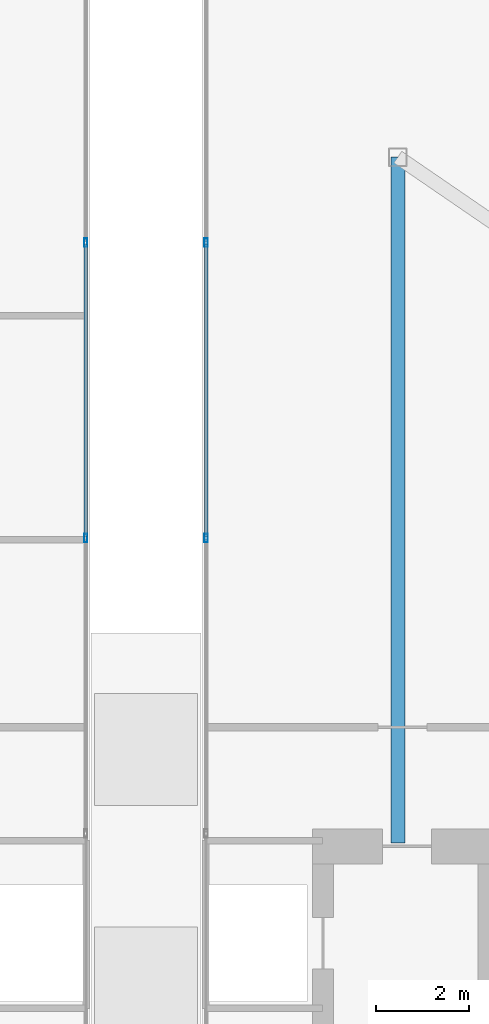
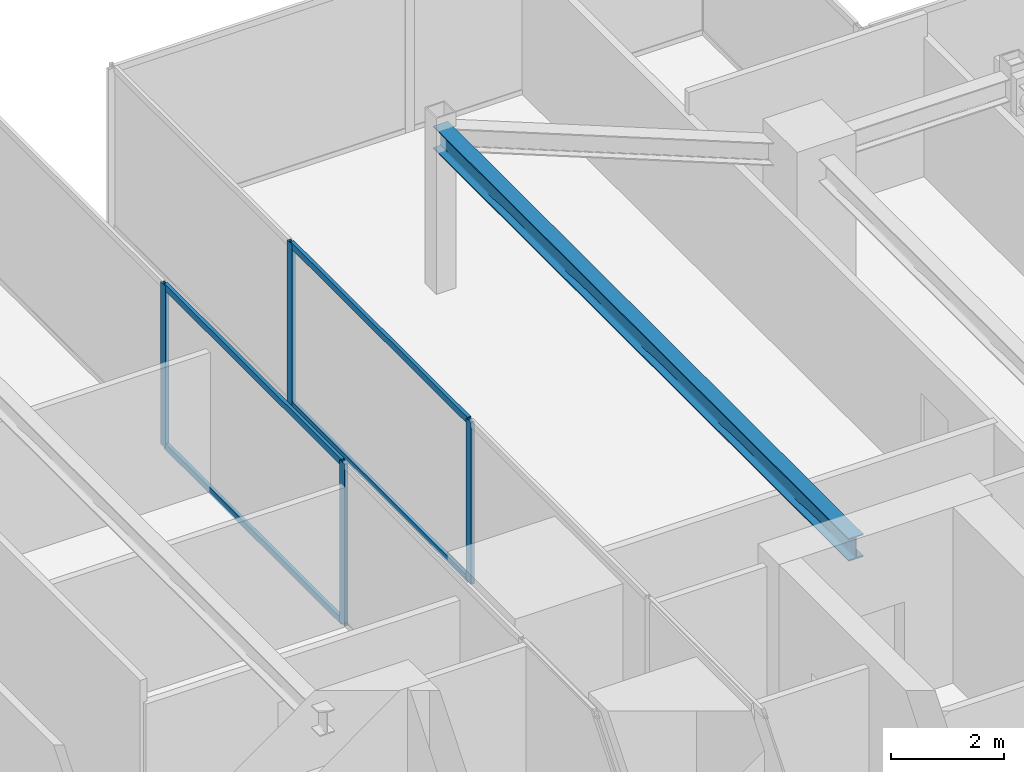
# One storey, part 14 of 25: 8 members, 1 beam, 2 elements without a shape of their own.
"""IFC4 building model written with IfcOpenShell, lengths in metres."""

from ifc_helpers import new_model, si_unit, direction, frame, origin, origin_2d, place, context, subcontext, project, spatial, hollow_rectangle, i_section, extrude, source, transform, mapped, material, material_profile, profile_set, type_object, type_shapes, element, aggregate, save


model = new_model("IFC4")

# Units and contexts
model_context = context("Model", 3, precision=1e-05, world=origin(), true_north=direction((0.0, 1.0)))
body_context = subcontext(model_context, "Body", "Model", "MODEL_VIEW")
ifc_project = project(units=[si_unit("LENGTHUNIT", "METRE"), si_unit("AREAUNIT", "SQUARE_METRE"), si_unit("VOLUMEUNIT", "CUBIC_METRE"), si_unit("PLANEANGLEUNIT", "RADIAN"), si_unit("MASSUNIT", "GRAM", prefix="KILO")], contexts=[model_context])

# Site, building, storey
site_placement = place(None, origin())
site = spatial("IfcSite", under=ifc_project, at=site_placement, CompositionType="ELEMENT")
building_placement = place(site_placement, origin())
building = spatial("IfcBuilding", under=site, at=building_placement, Name="Krantzveldt Concourse Tower", CompositionType="ELEMENT")
storey_placement = place(building_placement, frame((0.0, 0.0, 367.050048828125)))
storey = spatial("IfcBuildingStorey", under=building, at=storey_placement, Name="L90", CompositionType="ELEMENT", Elevation=367.050048828125)

# Beam
ifc_material_1 = material(Name="Steel S355JR", Category="steel")
ifc_material_profile_1 = material_profile(ifc_material_1, i_section(OverallWidth=0.300048828125, OverallDepth=0.489990234375, WebThickness=0.011962890625, FlangeThickness=0.02294921875, FilletRadius=0.027099609375, at=origin_2d()), Name="Steel S355JR", Category="steel")
ifc_profile_set_1 = profile_set([ifc_material_profile_1], Name="Steel S355JR - HEA 500")
beam_type = type_object("IfcBeamType", Name="BM-B-HEA500", PredefinedType="BEAM", material=ifc_profile_set_1)
shared_shape_1 = source(origin(), body_context, "Body", "SweptSolid", [
    extrude(i_section(OverallWidth=0.300048828125, OverallDepth=0.489990234375, WebThickness=0.011962890625, FlangeThickness=0.02294921875, FilletRadius=0.027099609375, at=origin_2d()), origin(), (0.0, 0.0, 1.0), 14.699951171875),
])
type_shapes(beam_type, [shared_shape_1])
beam_placement = place(storey_placement, frame((41.39990234375, 41.199951171875, 3.2548828125), z_axis=(0.0, -1.0, 0.0), x_axis=(1.0, 0.0, 0.0)))
element("IfcBeam", 1, at=beam_placement, inside=storey, type_object=beam_type, Name="L90 Crown Girder EAST-5", PredefinedType="BEAM", context=body_context, shape_type="MappedRepresentation", body=[
    mapped(shared_shape_1, transform((0.0, 0.0, 0.0), x_axis=(1.0, 0.0, 0.0), y_axis=(0.0, 1.0, 0.0), z_axis=(0.0, 0.0, 1.0), scale=1.0)),
])

# Curtain wall, members
ifc_material_2 = material(Name="Anodised aluminium 6063-T6", Category="aluminium")
curtain_wall_type = type_object("IfcCurtainWallType", Name="CW7", PredefinedType="USERDEFINED", material=ifc_material_2)
curtain_wall_1_placement = place(storey_placement, origin())
curtain_wall_1 = element("IfcCurtainWall", 2, at=curtain_wall_1_placement, inside=storey, type_object=curtain_wall_type, Name="CW-L90-WEST-01", ObjectType="UNITISED CURTAIN WALL", PredefinedType="USERDEFINED")
ifc_material_profile_2 = material_profile(ifc_material_2, hollow_rectangle(XDim=0.070068359375, YDim=0.179931640625, WallThickness=0.0048828125, at=origin_2d()), Name="Anodised aluminium 6063-T6", Category="aluminium")
ifc_profile_set_2 = profile_set([ifc_material_profile_2], Name="Anodised aluminium 6063-T6 - ALU-MULL 180x70x5")
member_type_1 = type_object("IfcMemberType", Name="CW-MUL-180", PredefinedType="MULLION", material=ifc_profile_set_2)
shared_shape_2 = source(origin(), body_context, "Body", "SweptSolid", [
    extrude(hollow_rectangle(XDim=0.070068359375, YDim=0.179931640625, WallThickness=0.0048828125, at=origin_2d()), origin(), (0.0, 0.0, 1.0), 3.5),
])
type_shapes(member_type_1, [shared_shape_2])
member_1_placement = place(storey_placement, frame((34.7099609375, 33.033447265625, 0.0), z_axis=(0.0, 0.0, 1.0), x_axis=(-1.0, 0.0, 0.0)))
member_1 = element("IfcMember", 3, at=member_1_placement, type_object=member_type_1, Name="CW-CRN mullion 5", PredefinedType="MULLION", context=body_context, shape_type="MappedRepresentation", body=[
    mapped(shared_shape_2, transform((0.0, 0.0, 0.0), x_axis=(1.0, 0.0, 0.0), y_axis=(0.0, 1.0, 0.0), z_axis=(0.0, 0.0, 1.0), scale=1.0)),
])
member_2_placement = place(storey_placement, frame((34.7099609375, 39.36669921875, 0.0), z_axis=(0.0, 0.0, 1.0), x_axis=(-1.0, 0.0, 0.0)))
member_2 = element("IfcMember", 4, at=member_2_placement, type_object=member_type_1, Name="CW-CRN mullion 6", PredefinedType="MULLION", context=body_context, shape_type="MappedRepresentation", body=[
    mapped(shared_shape_2, transform((0.0, 0.0, 0.0), x_axis=(1.0, 0.0, 0.0), y_axis=(0.0, 1.0, 0.0), z_axis=(0.0, 0.0, 1.0), scale=1.0)),
])

curtain_wall_2_placement = place(storey_placement, origin())
curtain_wall_2 = element("IfcCurtainWall", 5, at=curtain_wall_2_placement, inside=storey, type_object=curtain_wall_type, Name="CW-L90-EAST-07", ObjectType="UNITISED CURTAIN WALL", PredefinedType="USERDEFINED")
member_3_placement = place(storey_placement, frame((37.2900390625, 39.36669921875, 0.0), z_axis=(0.0, 0.0, 1.0), x_axis=(1.0, 0.0, 0.0)))
member_3 = element("IfcMember", 6, at=member_3_placement, type_object=member_type_1, Name="CW-CRN mullion 2", PredefinedType="MULLION", context=body_context, shape_type="MappedRepresentation", body=[
    mapped(shared_shape_2, transform((0.0, 0.0, 0.0), x_axis=(1.0, 0.0, 0.0), y_axis=(0.0, 1.0, 0.0), z_axis=(0.0, 0.0, 1.0), scale=1.0)),
])
member_4_placement = place(storey_placement, frame((37.2900390625, 33.033447265625, 0.0), z_axis=(0.0, 0.0, 1.0), x_axis=(1.0, 0.0, 0.0)))
member_4 = element("IfcMember", 7, at=member_4_placement, type_object=member_type_1, Name="CW-CRN mullion 3", PredefinedType="MULLION", context=body_context, shape_type="MappedRepresentation", body=[
    mapped(shared_shape_2, transform((0.0, 0.0, 0.0), x_axis=(1.0, 0.0, 0.0), y_axis=(0.0, 1.0, 0.0), z_axis=(0.0, 0.0, 1.0), scale=1.0)),
])

# Member
ifc_material_profile_3 = material_profile(ifc_material_2, hollow_rectangle(XDim=0.070068359375, YDim=0.139892578125, WallThickness=0.0048828125, at=origin_2d()), Name="Anodised aluminium 6063-T6", Category="aluminium")
ifc_profile_set_3 = profile_set([ifc_material_profile_3], Name="Anodised aluminium 6063-T6 - ALU-TRAN 140x70x5")
member_type_2 = type_object("IfcMemberType", Name="CW-TRN-150", PredefinedType="USERDEFINED", material=ifc_profile_set_3)
shared_shape_3 = source(origin(), body_context, "Body", "SweptSolid", [
    extrude(hollow_rectangle(XDim=0.070068359375, YDim=0.139892578125, WallThickness=0.0048828125, at=origin_2d()), origin(), (0.0, 0.0, 1.0), 6.263427734375),
])
type_shapes(member_type_2, [shared_shape_3])
member_5_placement = place(storey_placement, frame((34.7099609375, 33.068359375, 0.034912109375), z_axis=(0.0, 1.0, 0.0), x_axis=(-1.0, 0.0, 0.0)))
member_5 = element("IfcMember", 8, at=member_5_placement, type_object=member_type_2, Name="CW-CRN transom 5.1", ObjectType="TRANSOM", PredefinedType="USERDEFINED", context=body_context, shape_type="MappedRepresentation", body=[
    mapped(shared_shape_3, transform((0.0, 0.0, 0.0), x_axis=(1.0, 0.0, 0.0), y_axis=(0.0, 1.0, 0.0), z_axis=(0.0, 0.0, 1.0), scale=1.0)),
])

member_6_placement = place(storey_placement, frame((34.7099609375, 33.068359375, 3.46484375), z_axis=(0.0, 1.0, 0.0), x_axis=(-1.0, 0.0, 0.0)))
member_6 = element("IfcMember", 9, at=member_6_placement, type_object=member_type_2, Name="CW-CRN transom 5.2", ObjectType="TRANSOM", PredefinedType="USERDEFINED", context=body_context, shape_type="MappedRepresentation", body=[
    mapped(shared_shape_3, transform((0.0, 0.0, 0.0), x_axis=(1.0, 0.0, 0.0), y_axis=(0.0, 1.0, 0.0), z_axis=(0.0, 0.0, 1.0), scale=1.0)),
])

aggregate(curtain_wall_1, [member_1, member_2, member_5, member_6])

member_7_placement = place(storey_placement, frame((37.2900390625, 39.331787109375, 0.034912109375), z_axis=(0.0, -1.0, 0.0), x_axis=(1.0, 0.0, 0.0)))
member_7 = element("IfcMember", 10, at=member_7_placement, type_object=member_type_2, Name="CW-CRN transom 2.1", ObjectType="TRANSOM", PredefinedType="USERDEFINED", context=body_context, shape_type="MappedRepresentation", body=[
    mapped(shared_shape_3, transform((0.0, 0.0, 0.0), x_axis=(1.0, 0.0, 0.0), y_axis=(0.0, 1.0, 0.0), z_axis=(0.0, 0.0, 1.0), scale=1.0)),
])

member_8_placement = place(storey_placement, frame((37.2900390625, 39.331787109375, 3.46484375), z_axis=(0.0, -1.0, 0.0), x_axis=(1.0, 0.0, 0.0)))
member_8 = element("IfcMember", 11, at=member_8_placement, type_object=member_type_2, Name="CW-CRN transom 2.2", ObjectType="TRANSOM", PredefinedType="USERDEFINED", context=body_context, shape_type="MappedRepresentation", body=[
    mapped(shared_shape_3, transform((0.0, 0.0, 0.0), x_axis=(1.0, 0.0, 0.0), y_axis=(0.0, 1.0, 0.0), z_axis=(0.0, 0.0, 1.0), scale=1.0)),
])

aggregate(curtain_wall_2, [member_3, member_4, member_7, member_8])

save(model, "model.ifc")
